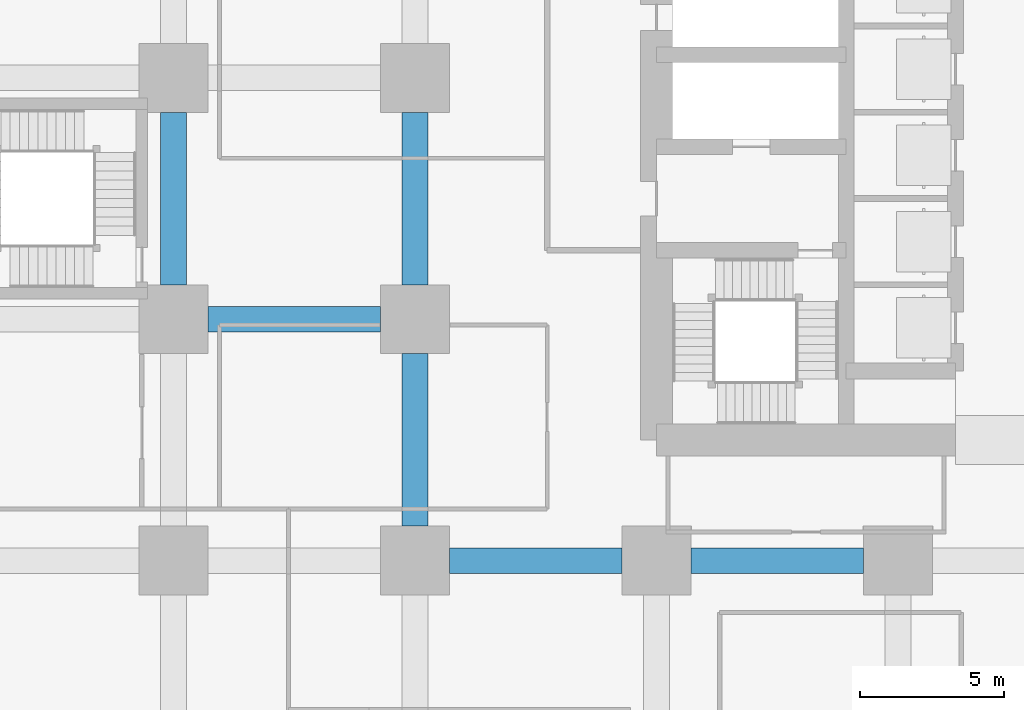
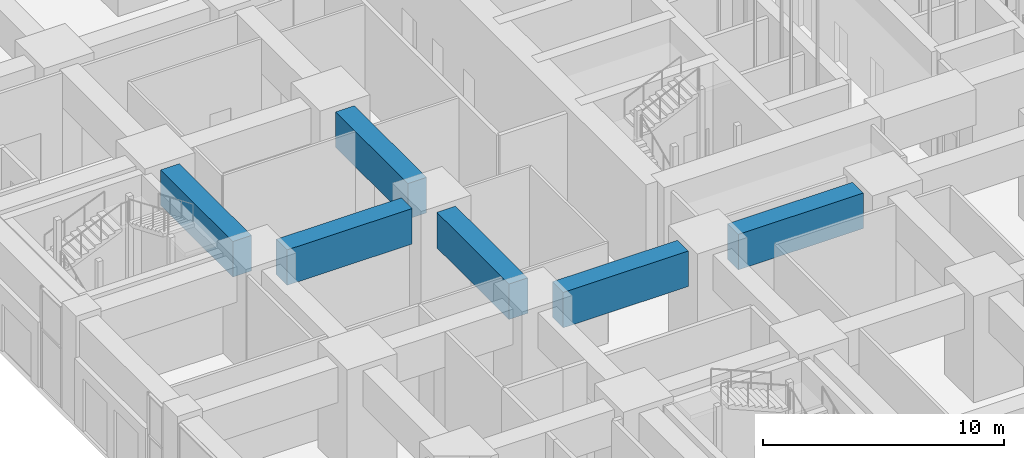
# One storey, part 12 of 81: 6 beams.
"""IFC4 building model written with IfcOpenShell, lengths in metres."""

from ifc_helpers import new_model, si_unit, direction, frame, origin, origin_2d, place, context, subcontext, project, spatial, rectangle, extrude, material, material_profile, profile_set, type_object, element, save


model = new_model("IFC4")

# Units and contexts
model_context = context("Model", 3, precision=1e-05, world=origin(), true_north=direction((0.0, 1.0)))
body_context = subcontext(model_context, "Body", "Model", "MODEL_VIEW")
ifc_project = project(units=[si_unit("LENGTHUNIT", "METRE"), si_unit("AREAUNIT", "SQUARE_METRE"), si_unit("VOLUMEUNIT", "CUBIC_METRE"), si_unit("PLANEANGLEUNIT", "RADIAN"), si_unit("MASSUNIT", "GRAM", prefix="KILO")], contexts=[model_context])

# Site, building, storey
site_placement = place(None, origin())
site = spatial("IfcSite", under=ifc_project, at=site_placement, CompositionType="ELEMENT")
building_placement = place(site_placement, origin())
building = spatial("IfcBuilding", under=site, at=building_placement, Name="Rekha Terrace Tower", CompositionType="ELEMENT")
storey_placement = place(building_placement, origin())
storey = spatial("IfcBuildingStorey", under=building, at=storey_placement, Name="L00", CompositionType="ELEMENT", Elevation=0.0)

# Beams
ifc_material = material(Name="Concrete M60", Category="concrete")
ifc_material_profile = material_profile(ifc_material, rectangle(XDim=0.89990234375, YDim=1.800048828125, at=origin_2d()), Name="RC 900x1800")
ifc_profile_set = profile_set([ifc_material_profile], Name="Concrete M60")
beam_type = type_object("IfcBeamType", Name="G1 900x1800 podium floor beam", PredefinedType="BEAM", material=ifc_profile_set)
for number, where, z_axis, x_axis, name in (
    (1, (9.60009765625, 25.199951171875, 4.199951171875), (1.0, 0.0, 0.0), (0.0, 1.0, 0.0), "Beam G1 2D-3D under L01"),
    (2, (8.39990234375, 26.39990234375, 4.199951171875), (0.0, 1.0, 0.0), (-1.0, 0.0, 0.0), "Beam G1 2D-2E under L01"),
    (3, (18.0, 16.800048828125, 4.199951171875), (1.0, 0.0, 0.0), (0.0, 1.0, 0.0), "Beam G1 3C-4C under L01"),
    (4, (16.800048828125, 18.0, 4.199951171875), (0.0, 1.0, 0.0), (-1.0, 0.0, 0.0), "Beam G1 3C-3D under L01"),
    (5, (16.800048828125, 26.39990234375, 4.199951171875), (0.0, 1.0, 0.0), (-1.0, 0.0, 0.0), "Beam G1 3D-3E under L01"),
    (6, (26.39990234375, 16.800048828125, 4.199951171875), (1.0, 0.0, 0.0), (0.0, 1.0, 0.0), "Beam G1 4C-5C under L01"),
):
    element("IfcBeam", number, at=place(storey_placement, frame(where, z_axis=z_axis, x_axis=x_axis)), inside=storey, type_object=beam_type, Name=name, PredefinedType="BEAM", context=body_context, shape_type="SweptSolid", body=[
        extrude(rectangle(XDim=0.89990234375, YDim=1.800048828125, at=origin_2d()), origin(), (0.0, 0.0, 1.0), 6.0),
    ])

save(model, "model.ifc")
